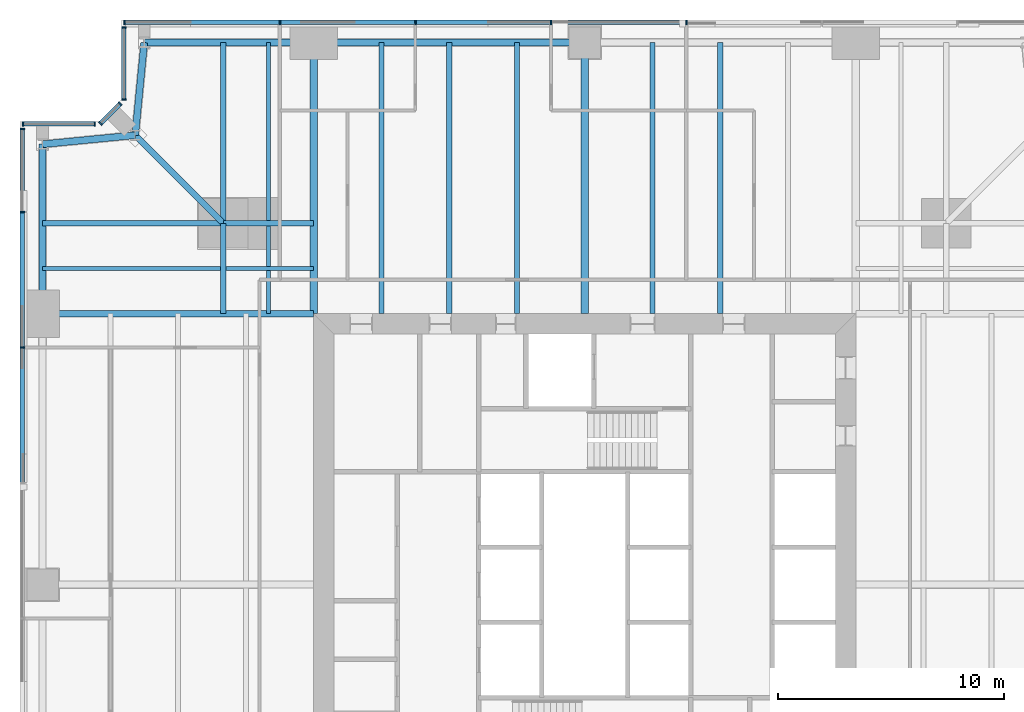
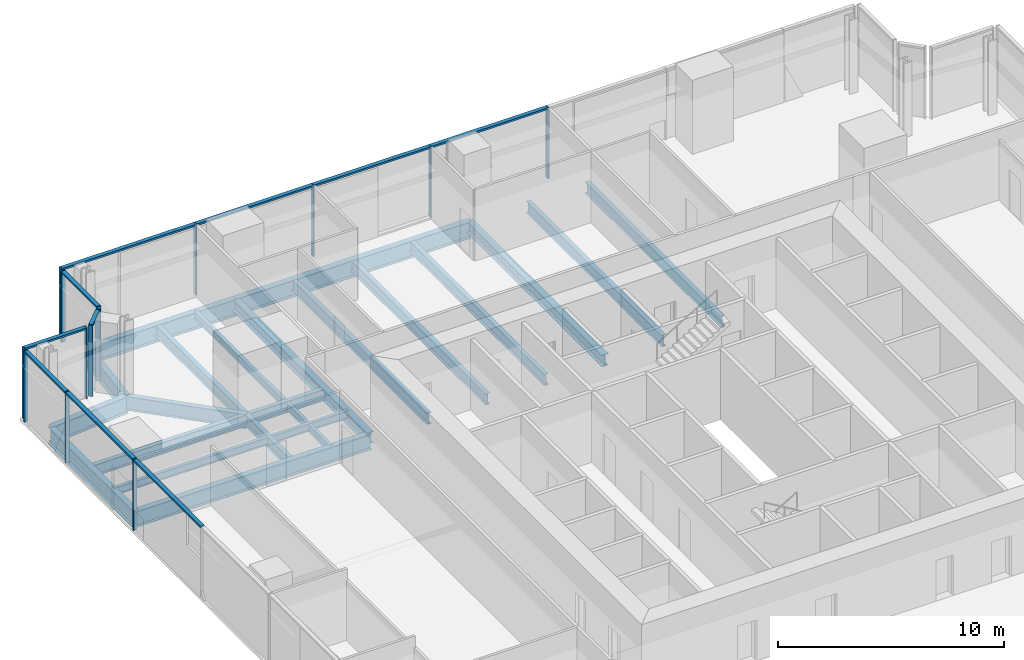
# One storey, part 6 of 14: 24 members, 23 beams, 5 elements without a shape of their own.
"""IFC4 building model written with IfcOpenShell, lengths in metres."""

from ifc_helpers import new_model, si_unit, direction, frame, origin, origin_2d, place, context, subcontext, project, spatial, rectangle, i_section, extrude, material, material_profile, profile_set, type_object, element, aggregate, save


model = new_model("IFC4")

# Units and contexts
model_context = context("Model", 3, precision=1e-05, world=origin(), true_north=direction((0.0, 1.0)))
body_context = subcontext(model_context, "Body", "Model", "MODEL_VIEW")
ifc_project = project(units=[si_unit("LENGTHUNIT", "METRE"), si_unit("AREAUNIT", "SQUARE_METRE"), si_unit("VOLUMEUNIT", "CUBIC_METRE"), si_unit("PLANEANGLEUNIT", "RADIAN"), si_unit("MASSUNIT", "GRAM", prefix="KILO")], contexts=[model_context])

# Site, building, storey
site_placement = place(None, origin())
site = spatial("IfcSite", under=ifc_project, at=site_placement, CompositionType="ELEMENT")
building_placement = place(site_placement, origin())
building = spatial("IfcBuilding", under=site, at=building_placement, Name="Fenwick Lantern Interchange", CompositionType="ELEMENT")
storey_placement = place(building_placement, frame((0.0, 0.0, 122.39990234375)))
storey = spatial("IfcBuildingStorey", under=building, at=storey_placement, Name="L28", CompositionType="ELEMENT", Elevation=122.39990234375)

# Beams
ifc_material_1 = material(Name="Steel ASTM A992 Grade 50", Category="steel")
ifc_material_profile_1 = material_profile(ifc_material_1, i_section(OverallWidth=0.3046875, OverallDepth=0.911865234375, WebThickness=0.015869140625, FlangeThickness=0.02392578125, at=origin_2d()), Name="W36X150")
ifc_profile_set_1 = profile_set([ifc_material_profile_1], Name="Steel ASTM A992 Grade 50")
beam_type_1 = type_object("IfcBeamType", Name="EDGE BEAM W36X150", PredefinedType="SPANDREL", material=ifc_profile_set_1)
beam_1_placement = place(storey_placement, frame((25.0, 49.0, -0.605712890625), z_axis=(-1.0, 0.0, 0.0), x_axis=(0.0, -1.0, 0.0)))
element("IfcBeam", 1, at=beam_1_placement, inside=storey, type_object=beam_type_1, Name="L28/FR/N/EB3", PredefinedType="SPANDREL", context=body_context, shape_type="SweptSolid", body=[
    extrude(i_section(OverallWidth=0.3046875, OverallDepth=0.911865234375, WebThickness=0.015869140625, FlangeThickness=0.02392578125, at=origin_2d()), origin(), (0.0, 0.0, 1.0), 12.0),
])
beam_2_placement = place(storey_placement, frame((13.0, 49.0, -0.605712890625), z_axis=(-1.0, 0.0, 0.0), x_axis=(0.0, -1.0, 0.0)))
element("IfcBeam", 2, at=beam_2_placement, inside=storey, type_object=beam_type_1, Name="L28/FR/N/EB4", PredefinedType="SPANDREL", context=body_context, shape_type="SweptSolid", body=[
    extrude(i_section(OverallWidth=0.3046875, OverallDepth=0.911865234375, WebThickness=0.015869140625, FlangeThickness=0.02392578125, at=origin_2d()), origin(), (0.0, 0.0, 1.0), 7.5),
])
for number, where, z_axis, x_axis, name in (
    (3, (5.5, 49.0, -0.605712890625), (-0.097074191287, -0.995277148028, 0.0), (0.995277148028, -0.097074191287, 0.0), "L28/FR/N/EBR1"),
    (4, (5.10009765625, 44.89990234375, -0.605712890625), (-0.995277148028, -0.097074191287, 0.0), (0.097074191287, -0.995277148028, 0.0), "L28/FR/N/EBR2"),
):
    element("IfcBeam", number, at=place(storey_placement, frame(where, z_axis=z_axis, x_axis=x_axis)), inside=storey, type_object=beam_type_1, Name=name, PredefinedType="SPANDREL", context=body_context, shape_type="SweptSolid", body=[
        extrude(i_section(OverallWidth=0.3046875, OverallDepth=0.911865234375, WebThickness=0.015869140625, FlangeThickness=0.02392578125, at=origin_2d()), origin(), (0.0, 0.0, 1.0), 4.11962890625),
    ])
beam_3_placement = place(storey_placement, frame((1.0, 44.5, -0.605712890625), z_axis=(0.0, -1.0, 0.0), x_axis=(1.0, 0.0, 0.0)))
element("IfcBeam", 5, at=beam_3_placement, inside=storey, type_object=beam_type_1, Name="L28/FR/W/EB1", PredefinedType="SPANDREL", context=body_context, shape_type="SweptSolid", body=[
    extrude(i_section(OverallWidth=0.3046875, OverallDepth=0.911865234375, WebThickness=0.015869140625, FlangeThickness=0.02392578125, at=origin_2d()), origin(), (0.0, 0.0, 1.0), 7.5),
])
ifc_material_profile_2 = material_profile(ifc_material_1, i_section(OverallWidth=0.22900390625, OverallDepth=0.612060546875, WebThickness=0.011962890625, FlangeThickness=0.01953125, at=origin_2d()), Name="W24X84")
ifc_profile_set_2 = profile_set([ifc_material_profile_2], Name="Steel ASTM A992 Grade 50")
beam_type_2 = type_object("IfcBeamType", Name="FLOOR BEAM W24X84", PredefinedType="BEAM", material=ifc_profile_set_2)
for number, where, z_axis, x_axis, name in (
    (6, (31.0, 49.0, -0.4560546875), (0.0, -1.0, 0.0), (1.0, 0.0, 0.0), "L28/FR/N/R03"),
    (7, (28.0, 49.0, -0.4560546875), (0.0, -1.0, 0.0), (1.0, 0.0, 0.0), "L28/FR/N/R04"),
    (8, (22.0, 49.0, -0.4560546875), (0.0, -1.0, 0.0), (1.0, 0.0, 0.0), "L28/FR/N/R06"),
    (9, (19.0, 49.0, -0.4560546875), (0.0, -1.0, 0.0), (1.0, 0.0, 0.0), "L28/FR/N/R07"),
    (10, (16.0, 49.0, -0.4560546875), (0.0, -1.0, 0.0), (1.0, 0.0, 0.0), "L28/FR/N/R08"),
):
    element("IfcBeam", number, at=place(storey_placement, frame(where, z_axis=z_axis, x_axis=x_axis)), inside=storey, type_object=beam_type_2, Name=name, PredefinedType="BEAM", context=body_context, shape_type="SweptSolid", body=[
        extrude(i_section(OverallWidth=0.22900390625, OverallDepth=0.612060546875, WebThickness=0.011962890625, FlangeThickness=0.01953125, at=origin_2d()), origin(), (0.0, 0.0, 1.0), 12.0),
    ])
ifc_material_profile_3 = material_profile(ifc_material_1, i_section(OverallWidth=0.177734375, OverallDepth=0.406494140625, WebThickness=0.0078125, FlangeThickness=0.012939453125, at=origin_2d()), Name="W16X40")
ifc_profile_set_3 = profile_set([ifc_material_profile_3], Name="Steel ASTM A992 Grade 50")
beam_type_3 = type_object("IfcBeamType", Name="INFILL BEAM W16X40", PredefinedType="JOIST", material=ifc_profile_set_3)
beam_4_placement = place(storey_placement, frame((1.0, 39.0, -0.35302734375), z_axis=(1.0, 0.0, 0.0), x_axis=(0.0, 1.0, 0.0)))
element("IfcBeam", 11, at=beam_4_placement, inside=storey, type_object=beam_type_3, Name="L28/FR/W/J1", PredefinedType="JOIST", context=body_context, shape_type="SweptSolid", body=[
    extrude(i_section(OverallWidth=0.177734375, OverallDepth=0.406494140625, WebThickness=0.0078125, FlangeThickness=0.012939453125, at=origin_2d()), origin(), (0.0, 0.0, 1.0), 7.885498046875),
])
beam_5_placement = place(storey_placement, frame((9.114501953125, 39.0, -0.35302734375), z_axis=(1.0, 0.0, 0.0), x_axis=(0.0, 1.0, 0.0)))
element("IfcBeam", 12, at=beam_5_placement, inside=storey, type_object=beam_type_3, Name="L28/FR/W/J2", PredefinedType="JOIST", context=body_context, shape_type="SweptSolid", body=[
    extrude(i_section(OverallWidth=0.177734375, OverallDepth=0.406494140625, WebThickness=0.0078125, FlangeThickness=0.012939453125, at=origin_2d()), origin(), (0.0, 0.0, 1.0), 3.885498046875),
])
beam_6_placement = place(storey_placement, frame((11.0, 49.0, -0.35302734375), z_axis=(0.0, -1.0, 0.0), x_axis=(1.0, 0.0, 0.0)))
element("IfcBeam", 13, at=beam_6_placement, inside=storey, type_object=beam_type_3, Name="L28/FR/W/J3", PredefinedType="JOIST", context=body_context, shape_type="SweptSolid", body=[
    extrude(i_section(OverallWidth=0.177734375, OverallDepth=0.406494140625, WebThickness=0.0078125, FlangeThickness=0.012939453125, at=origin_2d()), origin(), (0.0, 0.0, 1.0), 7.885498046875),
])
beam_7_placement = place(storey_placement, frame((11.0, 40.885498046875, -0.35302734375), z_axis=(0.0, -1.0, 0.0), x_axis=(1.0, 0.0, 0.0)))
element("IfcBeam", 14, at=beam_7_placement, inside=storey, type_object=beam_type_3, Name="L28/FR/W/J4", PredefinedType="JOIST", context=body_context, shape_type="SweptSolid", body=[
    extrude(i_section(OverallWidth=0.177734375, OverallDepth=0.406494140625, WebThickness=0.0078125, FlangeThickness=0.012939453125, at=origin_2d()), origin(), (0.0, 0.0, 1.0), 1.796630859375),
])
beam_8_placement = place(storey_placement, frame((11.0, 38.9111328125, -0.35302734375), z_axis=(0.0, -1.0, 0.0), x_axis=(1.0, 0.0, 0.0)))
element("IfcBeam", 15, at=beam_8_placement, inside=storey, type_object=beam_type_3, Name="L28/FR/W/J5", PredefinedType="JOIST", context=body_context, shape_type="SweptSolid", body=[
    extrude(i_section(OverallWidth=0.177734375, OverallDepth=0.406494140625, WebThickness=0.0078125, FlangeThickness=0.012939453125, at=origin_2d()), origin(), (0.0, 0.0, 1.0), 1.9111328125),
])
ifc_material_profile_4 = material_profile(ifc_material_1, i_section(OverallWidth=0.22900390625, OverallDepth=0.612060546875, WebThickness=0.011962890625, FlangeThickness=0.01953125, at=origin_2d()), Name="W24X84")
ifc_profile_set_4 = profile_set([ifc_material_profile_4], Name="Steel ASTM A992 Grade 50")
beam_type_4 = type_object("IfcBeamType", Name="MEGA COLUMN BEAM W24X84", PredefinedType="BEAM", material=ifc_profile_set_4)
for number, where, z_axis, x_axis, name in (
    (16, (9.0, 41.0, -0.4560546875), (-1.0, 0.0, 0.0), (0.0, -1.0, 0.0), "L28/FR/W/MB1"),
    (17, (9.0, 41.0, -0.4560546875), (0.0, 1.0, 0.0), (-1.0, 0.0, 0.0), "L28/FR/W/MB2"),
):
    element("IfcBeam", number, at=place(storey_placement, frame(where, z_axis=z_axis, x_axis=x_axis)), inside=storey, type_object=beam_type_4, Name=name, PredefinedType="BEAM", context=body_context, shape_type="SweptSolid", body=[
        extrude(i_section(OverallWidth=0.22900390625, OverallDepth=0.612060546875, WebThickness=0.011962890625, FlangeThickness=0.01953125, at=origin_2d()), origin(), (0.0, 0.0, 1.0), 8.0),
    ])
for number, where, z_axis, x_axis, name in (
    (18, (9.0, 41.0, -0.4560546875), (0.0, -1.0, 0.0), (1.0, 0.0, 0.0), "L28/FR/W/MB3"),
    (19, (9.0, 41.0, -0.4560546875), (1.0, 0.0, 0.0), (0.0, 1.0, 0.0), "L28/FR/W/MB4"),
):
    element("IfcBeam", number, at=place(storey_placement, frame(where, z_axis=z_axis, x_axis=x_axis)), inside=storey, type_object=beam_type_4, Name=name, PredefinedType="BEAM", context=body_context, shape_type="SweptSolid", body=[
        extrude(i_section(OverallWidth=0.22900390625, OverallDepth=0.612060546875, WebThickness=0.011962890625, FlangeThickness=0.01953125, at=origin_2d()), origin(), (0.0, 0.0, 1.0), 4.0),
    ])
ifc_material_profile_5 = material_profile(ifc_material_1, i_section(OverallWidth=0.32763671875, OverallDepth=0.622314453125, WebThickness=0.015380859375, FlangeThickness=0.0244140625, at=origin_2d()), Name="W24X131")
ifc_profile_set_5 = profile_set([ifc_material_profile_5], Name="Steel ASTM A992 Grade 50")
beam_type_5 = type_object("IfcBeamType", Name="MOMENT-CONNECTED GIRDER W24X131", PredefinedType="BEAM", material=ifc_profile_set_5)
for number, where, z_axis, x_axis, name in (
    (20, (25.0, 49.0, -0.4609375), (0.0, -1.0, 0.0), (1.0, 0.0, 0.0), "L28/FR/N/R05"),
    (21, (13.0, 49.0, -0.4609375), (0.0, -1.0, 0.0), (1.0, 0.0, 0.0), "L28/FR/N/R09"),
):
    element("IfcBeam", number, at=place(storey_placement, frame(where, z_axis=z_axis, x_axis=x_axis)), inside=storey, type_object=beam_type_5, Name=name, PredefinedType="BEAM", context=body_context, shape_type="SweptSolid", body=[
        extrude(i_section(OverallWidth=0.32763671875, OverallDepth=0.622314453125, WebThickness=0.015380859375, FlangeThickness=0.0244140625, at=origin_2d()), origin(), (0.0, 0.0, 1.0), 12.0),
    ])
ifc_material_profile_6 = material_profile(ifc_material_1, i_section(OverallWidth=0.2919921875, OverallDepth=0.845703125, WebThickness=0.015380859375, FlangeThickness=0.0244140625, at=origin_2d()), Name="W33X141")
ifc_profile_set_6 = profile_set([ifc_material_profile_6], Name="Steel ASTM A992 Grade 50")
beam_type_6 = type_object("IfcBeamType", Name="MOMENT-CONNECTED GIRDER W33X141", PredefinedType="BEAM", material=ifc_profile_set_6)
beam_9_placement = place(storey_placement, frame((1.0, 37.0, -0.57275390625), z_axis=(1.0, 0.0, 0.0), x_axis=(0.0, 1.0, 0.0)))
element("IfcBeam", 22, at=beam_9_placement, inside=storey, type_object=beam_type_6, Name="L28/FR/W/R01", PredefinedType="BEAM", context=body_context, shape_type="SweptSolid", body=[
    extrude(i_section(OverallWidth=0.2919921875, OverallDepth=0.845703125, WebThickness=0.015380859375, FlangeThickness=0.0244140625, at=origin_2d()), origin(), (0.0, 0.0, 1.0), 12.0),
])
ifc_material_profile_7 = material_profile(ifc_material_1, i_section(OverallWidth=0.2666015625, OverallDepth=0.7568359375, WebThickness=0.013916015625, FlangeThickness=0.019287109375, at=origin_2d()), Name="W30X108")
ifc_profile_set_7 = profile_set([ifc_material_profile_7], Name="Steel ASTM A992 Grade 50")
beam_type_7 = type_object("IfcBeamType", Name="NOTCH BEAM W30X108", PredefinedType="BEAM", material=ifc_profile_set_7)
beam_10_placement = place(storey_placement, frame((9.0, 41.0, -0.5283203125), z_axis=(-0.707106781187, 0.707106781187, 0.0), x_axis=(-0.707106781187, -0.707106781187, 0.0)))
element("IfcBeam", 23, at=beam_10_placement, inside=storey, type_object=beam_type_7, Name="L28/FR/W/TG", PredefinedType="BEAM", context=body_context, shape_type="SweptSolid", body=[
    extrude(i_section(OverallWidth=0.2666015625, OverallDepth=0.7568359375, WebThickness=0.013916015625, FlangeThickness=0.019287109375, at=origin_2d()), origin(), (0.0, 0.0, 1.0), 5.515380859375),
])

# Curtain wall, members
ifc_material_2 = material(Name="Aluminium curtain wall frame", Category="aluminium")
curtain_wall_type = type_object("IfcCurtainWallType", Name="OFFICE CURTAIN WALL", PredefinedType="USERDEFINED", material=ifc_material_2)
curtain_wall_1_placement = place(storey_placement, origin())
curtain_wall_1 = element("IfcCurtainWall", 24, at=curtain_wall_1_placement, inside=storey, type_object=curtain_wall_type, Name="Office curtain wall 09", ObjectType="OFFICE CURTAIN WALL", PredefinedType="USERDEFINED")
ifc_material_3 = material(Name="Aluminium extrusion", Category="aluminium")
ifc_material_profile_8 = material_profile(ifc_material_3, rectangle(XDim=0.199951171875, YDim=0.06494140625, at=origin_2d()), Name="OFFICE CURTAIN WALL MULLION 65 X 200")
ifc_profile_set_8 = profile_set([ifc_material_profile_8], Name="Aluminium extrusion")
member_type_1 = type_object("IfcMemberType", Name="OFFICE CURTAIN WALL MULLION 65 X 200", PredefinedType="MULLION", material=ifc_profile_set_8)
member_1_placement = place(storey_placement, frame((29.5, 49.89990234375, 0.0), z_axis=(0.0, 0.0, 1.0), x_axis=(0.0, -1.0, 0.0)))
member_1 = element("IfcMember", 25, at=member_1_placement, type_object=member_type_1, Name="L28/CW/09/M03", PredefinedType="MULLION", context=body_context, shape_type="SweptSolid", body=[
    extrude(rectangle(XDim=0.199951171875, YDim=0.06494140625, at=origin_2d()), origin(), (0.0, 0.0, 1.0), 3.85009765625),
])
member_2_placement = place(storey_placement, frame((23.5, 49.89990234375, 0.0), z_axis=(0.0, 0.0, 1.0), x_axis=(0.0, -1.0, 0.0)))
member_2 = element("IfcMember", 26, at=member_2_placement, type_object=member_type_1, Name="L28/CW/09/M04", PredefinedType="MULLION", context=body_context, shape_type="SweptSolid", body=[
    extrude(rectangle(XDim=0.199951171875, YDim=0.06494140625, at=origin_2d()), origin(), (0.0, 0.0, 1.0), 3.85009765625),
])
member_3_placement = place(storey_placement, frame((17.5, 49.89990234375, 0.0), z_axis=(0.0, 0.0, 1.0), x_axis=(0.0, -1.0, 0.0)))
member_3 = element("IfcMember", 27, at=member_3_placement, type_object=member_type_1, Name="L28/CW/09/M05", PredefinedType="MULLION", context=body_context, shape_type="SweptSolid", body=[
    extrude(rectangle(XDim=0.199951171875, YDim=0.06494140625, at=origin_2d()), origin(), (0.0, 0.0, 1.0), 3.85009765625),
])
member_4_placement = place(storey_placement, frame((11.5, 49.89990234375, 0.0), z_axis=(0.0, 0.0, 1.0), x_axis=(0.0, -1.0, 0.0)))
member_4 = element("IfcMember", 28, at=member_4_placement, type_object=member_type_1, Name="L28/CW/09/M06", PredefinedType="MULLION", context=body_context, shape_type="SweptSolid", body=[
    extrude(rectangle(XDim=0.199951171875, YDim=0.06494140625, at=origin_2d()), origin(), (0.0, 0.0, 1.0), 3.85009765625),
])
member_5_placement = place(storey_placement, frame((4.632568359375, 49.89990234375, 0.0), z_axis=(0.0, 0.0, 1.0), x_axis=(0.0, -1.0, 0.0)))
member_5 = element("IfcMember", 29, at=member_5_placement, type_object=member_type_1, Name="L28/CW/09/M07", PredefinedType="MULLION", context=body_context, shape_type="SweptSolid", body=[
    extrude(rectangle(XDim=0.199951171875, YDim=0.06494140625, at=origin_2d()), origin(), (0.0, 0.0, 1.0), 3.85009765625),
])

curtain_wall_2_placement = place(storey_placement, origin())
curtain_wall_2 = element("IfcCurtainWall", 30, at=curtain_wall_2_placement, inside=storey, type_object=curtain_wall_type, Name="Office curtain wall 10", ObjectType="OFFICE CURTAIN WALL", PredefinedType="USERDEFINED")
member_6_placement = place(storey_placement, frame((4.60009765625, 49.66748046875, 0.0), z_axis=(0.0, 0.0, 1.0), x_axis=(1.0, 0.0, 0.0)))
member_6 = element("IfcMember", 31, at=member_6_placement, type_object=member_type_1, Name="L28/CW/10/M00", PredefinedType="MULLION", context=body_context, shape_type="SweptSolid", body=[
    extrude(rectangle(XDim=0.199951171875, YDim=0.06494140625, at=origin_2d()), origin(), (0.0, 0.0, 1.0), 3.85009765625),
])
member_7_placement = place(storey_placement, frame((4.60009765625, 46.490966796875, 0.0), z_axis=(0.0, 0.0, 1.0), x_axis=(1.0, 0.0, 0.0)))
member_7 = element("IfcMember", 32, at=member_7_placement, type_object=member_type_1, Name="L28/CW/10/M01", PredefinedType="MULLION", context=body_context, shape_type="SweptSolid", body=[
    extrude(rectangle(XDim=0.199951171875, YDim=0.06494140625, at=origin_2d()), origin(), (0.0, 0.0, 1.0), 3.85009765625),
])

curtain_wall_3_placement = place(storey_placement, origin())
curtain_wall_3 = element("IfcCurtainWall", 33, at=curtain_wall_3_placement, inside=storey, type_object=curtain_wall_type, Name="Office curtain wall 11", ObjectType="OFFICE CURTAIN WALL", PredefinedType="USERDEFINED")
member_8_placement = place(storey_placement, frame((4.435546875, 46.294189453125, 0.0), z_axis=(0.0, 0.0, 1.0), x_axis=(0.707106781187, -0.707106781187, 0.0)))
member_8 = element("IfcMember", 34, at=member_8_placement, type_object=member_type_1, Name="L28/CW/11/M00", PredefinedType="MULLION", context=body_context, shape_type="SweptSolid", body=[
    extrude(rectangle(XDim=0.199951171875, YDim=0.06494140625, at=origin_2d()), origin(), (0.0, 0.0, 1.0), 3.85009765625),
])
member_9_placement = place(storey_placement, frame((3.564453125, 45.423095703125, 0.0), z_axis=(0.0, 0.0, 1.0), x_axis=(0.707106781187, -0.707106781187, 0.0)))
member_9 = element("IfcMember", 35, at=member_9_placement, type_object=member_type_1, Name="L28/CW/11/M01", PredefinedType="MULLION", context=body_context, shape_type="SweptSolid", body=[
    extrude(rectangle(XDim=0.199951171875, YDim=0.06494140625, at=origin_2d()), origin(), (0.0, 0.0, 1.0), 3.85009765625),
])

curtain_wall_4_placement = place(storey_placement, origin())
curtain_wall_4 = element("IfcCurtainWall", 36, at=curtain_wall_4_placement, inside=storey, type_object=curtain_wall_type, Name="Office curtain wall 12", ObjectType="OFFICE CURTAIN WALL", PredefinedType="USERDEFINED")
member_10_placement = place(storey_placement, frame((3.308837890625, 45.39990234375, 0.0), z_axis=(0.0, 0.0, 1.0), x_axis=(0.0, -1.0, 0.0)))
member_10 = element("IfcMember", 37, at=member_10_placement, type_object=member_type_1, Name="L28/CW/12/M00", PredefinedType="MULLION", context=body_context, shape_type="SweptSolid", body=[
    extrude(rectangle(XDim=0.199951171875, YDim=0.06494140625, at=origin_2d()), origin(), (0.0, 0.0, 1.0), 3.85009765625),
])
member_11_placement = place(storey_placement, frame((0.132568359375, 45.39990234375, 0.0), z_axis=(0.0, 0.0, 1.0), x_axis=(0.0, -1.0, 0.0)))
member_11 = element("IfcMember", 38, at=member_11_placement, type_object=member_type_1, Name="L28/CW/12/M01", PredefinedType="MULLION", context=body_context, shape_type="SweptSolid", body=[
    extrude(rectangle(XDim=0.199951171875, YDim=0.06494140625, at=origin_2d()), origin(), (0.0, 0.0, 1.0), 3.85009765625),
])

curtain_wall_5_placement = place(storey_placement, origin())
curtain_wall_5 = element("IfcCurtainWall", 39, at=curtain_wall_5_placement, inside=storey, type_object=curtain_wall_type, Name="Office curtain wall 13", ObjectType="OFFICE CURTAIN WALL", PredefinedType="USERDEFINED")
member_12_placement = place(storey_placement, frame((0.10009765625, 45.16748046875, 0.0), z_axis=(0.0, 0.0, 1.0), x_axis=(1.0, 0.0, 0.0)))
member_12 = element("IfcMember", 40, at=member_12_placement, type_object=member_type_1, Name="L28/CW/13/M00", PredefinedType="MULLION", context=body_context, shape_type="SweptSolid", body=[
    extrude(rectangle(XDim=0.199951171875, YDim=0.06494140625, at=origin_2d()), origin(), (0.0, 0.0, 1.0), 3.85009765625),
])
member_13_placement = place(storey_placement, frame((0.10009765625, 41.5, 0.0), z_axis=(0.0, 0.0, 1.0), x_axis=(1.0, 0.0, 0.0)))
member_13 = element("IfcMember", 41, at=member_13_placement, type_object=member_type_1, Name="L28/CW/13/M01", PredefinedType="MULLION", context=body_context, shape_type="SweptSolid", body=[
    extrude(rectangle(XDim=0.199951171875, YDim=0.06494140625, at=origin_2d()), origin(), (0.0, 0.0, 1.0), 3.85009765625),
])
member_14_placement = place(storey_placement, frame((0.10009765625, 35.5, 0.0), z_axis=(0.0, 0.0, 1.0), x_axis=(1.0, 0.0, 0.0)))
member_14 = element("IfcMember", 42, at=member_14_placement, type_object=member_type_1, Name="L28/CW/13/M02", PredefinedType="MULLION", context=body_context, shape_type="SweptSolid", body=[
    extrude(rectangle(XDim=0.199951171875, YDim=0.06494140625, at=origin_2d()), origin(), (0.0, 0.0, 1.0), 3.85009765625),
])

# Member
ifc_material_profile_9 = material_profile(ifc_material_3, rectangle(XDim=0.199951171875, YDim=0.10009765625, at=origin_2d()), Name="OFFICE CURTAIN WALL TRANSOM 100 X 200")
ifc_profile_set_9 = profile_set([ifc_material_profile_9], Name="Aluminium extrusion")
member_type_2 = type_object("IfcMemberType", Name="OFFICE CURTAIN WALL TRANSOM 100 X 200", PredefinedType="MULLION", material=ifc_profile_set_9)
member_15_placement = place(storey_placement, frame((29.467529296875, 49.89990234375, 3.800048828125), z_axis=(-1.0, 0.0, 0.0), x_axis=(0.0, -1.0, 0.0)))
member_15 = element("IfcMember", 43, at=member_15_placement, type_object=member_type_2, Name="L28/CW/09/T03", PredefinedType="MULLION", context=body_context, shape_type="SweptSolid", body=[
    extrude(rectangle(XDim=0.199951171875, YDim=0.10009765625, at=origin_2d()), origin(), (0.0, 0.0, 1.0), 5.93505859375),
])

member_16_placement = place(storey_placement, frame((23.467529296875, 49.89990234375, 3.800048828125), z_axis=(-1.0, 0.0, 0.0), x_axis=(0.0, -1.0, 0.0)))
member_16 = element("IfcMember", 44, at=member_16_placement, type_object=member_type_2, Name="L28/CW/09/T04", PredefinedType="MULLION", context=body_context, shape_type="SweptSolid", body=[
    extrude(rectangle(XDim=0.199951171875, YDim=0.10009765625, at=origin_2d()), origin(), (0.0, 0.0, 1.0), 5.93505859375),
])

member_17_placement = place(storey_placement, frame((17.467529296875, 49.89990234375, 3.800048828125), z_axis=(-1.0, 0.0, 0.0), x_axis=(0.0, -1.0, 0.0)))
member_17 = element("IfcMember", 45, at=member_17_placement, type_object=member_type_2, Name="L28/CW/09/T05", PredefinedType="MULLION", context=body_context, shape_type="SweptSolid", body=[
    extrude(rectangle(XDim=0.199951171875, YDim=0.10009765625, at=origin_2d()), origin(), (0.0, 0.0, 1.0), 5.93505859375),
])

member_18_placement = place(storey_placement, frame((11.467529296875, 49.89990234375, 3.800048828125), z_axis=(-1.0, 0.0, 0.0), x_axis=(0.0, -1.0, 0.0)))
member_18 = element("IfcMember", 46, at=member_18_placement, type_object=member_type_2, Name="L28/CW/09/T06", PredefinedType="MULLION", context=body_context, shape_type="SweptSolid", body=[
    extrude(rectangle(XDim=0.199951171875, YDim=0.10009765625, at=origin_2d()), origin(), (0.0, 0.0, 1.0), 6.802490234375),
])

aggregate(curtain_wall_1, [member_1, member_2, member_3, member_4, member_5, member_15, member_16, member_17, member_18])

member_19_placement = place(storey_placement, frame((4.60009765625, 49.635009765625, 3.800048828125), z_axis=(0.0, -1.0, 0.0), x_axis=(1.0, 0.0, 0.0)))
member_19 = element("IfcMember", 47, at=member_19_placement, type_object=member_type_2, Name="L28/CW/10/T00", PredefinedType="MULLION", context=body_context, shape_type="SweptSolid", body=[
    extrude(rectangle(XDim=0.199951171875, YDim=0.10009765625, at=origin_2d()), origin(), (0.0, 0.0, 1.0), 3.111328125),
])

aggregate(curtain_wall_2, [member_6, member_7, member_19])

member_20_placement = place(storey_placement, frame((4.41259765625, 46.271240234375, 3.800048828125), z_axis=(-0.707106781187, -0.707106781187, 0.0), x_axis=(0.707106781187, -0.707106781187, 0.0)))
member_20 = element("IfcMember", 48, at=member_20_placement, type_object=member_type_2, Name="L28/CW/11/T00", PredefinedType="MULLION", context=body_context, shape_type="SweptSolid", body=[
    extrude(rectangle(XDim=0.199951171875, YDim=0.10009765625, at=origin_2d()), origin(), (0.0, 0.0, 1.0), 1.1669921875),
])

aggregate(curtain_wall_3, [member_8, member_9, member_20])

member_21_placement = place(storey_placement, frame((3.2763671875, 45.39990234375, 3.800048828125), z_axis=(-1.0, 0.0, 0.0), x_axis=(0.0, -1.0, 0.0)))
member_21 = element("IfcMember", 49, at=member_21_placement, type_object=member_type_2, Name="L28/CW/12/T00", PredefinedType="MULLION", context=body_context, shape_type="SweptSolid", body=[
    extrude(rectangle(XDim=0.199951171875, YDim=0.10009765625, at=origin_2d()), origin(), (0.0, 0.0, 1.0), 3.111328125),
])

aggregate(curtain_wall_4, [member_10, member_11, member_21])

member_22_placement = place(storey_placement, frame((0.10009765625, 45.135009765625, 3.800048828125), z_axis=(0.0, -1.0, 0.0), x_axis=(1.0, 0.0, 0.0)))
member_22 = element("IfcMember", 50, at=member_22_placement, type_object=member_type_2, Name="L28/CW/13/T00", PredefinedType="MULLION", context=body_context, shape_type="SweptSolid", body=[
    extrude(rectangle(XDim=0.199951171875, YDim=0.10009765625, at=origin_2d()), origin(), (0.0, 0.0, 1.0), 3.6025390625),
])

member_23_placement = place(storey_placement, frame((0.10009765625, 41.467529296875, 3.800048828125), z_axis=(0.0, -1.0, 0.0), x_axis=(1.0, 0.0, 0.0)))
member_23 = element("IfcMember", 51, at=member_23_placement, type_object=member_type_2, Name="L28/CW/13/T01", PredefinedType="MULLION", context=body_context, shape_type="SweptSolid", body=[
    extrude(rectangle(XDim=0.199951171875, YDim=0.10009765625, at=origin_2d()), origin(), (0.0, 0.0, 1.0), 5.93505859375),
])

member_24_placement = place(storey_placement, frame((0.10009765625, 35.467529296875, 3.800048828125), z_axis=(0.0, -1.0, 0.0), x_axis=(1.0, 0.0, 0.0)))
member_24 = element("IfcMember", 52, at=member_24_placement, type_object=member_type_2, Name="L28/CW/13/T02", PredefinedType="MULLION", context=body_context, shape_type="SweptSolid", body=[
    extrude(rectangle(XDim=0.199951171875, YDim=0.10009765625, at=origin_2d()), origin(), (0.0, 0.0, 1.0), 5.93505859375),
])

aggregate(curtain_wall_5, [member_12, member_13, member_14, member_22, member_23, member_24])

save(model, "model.ifc")
